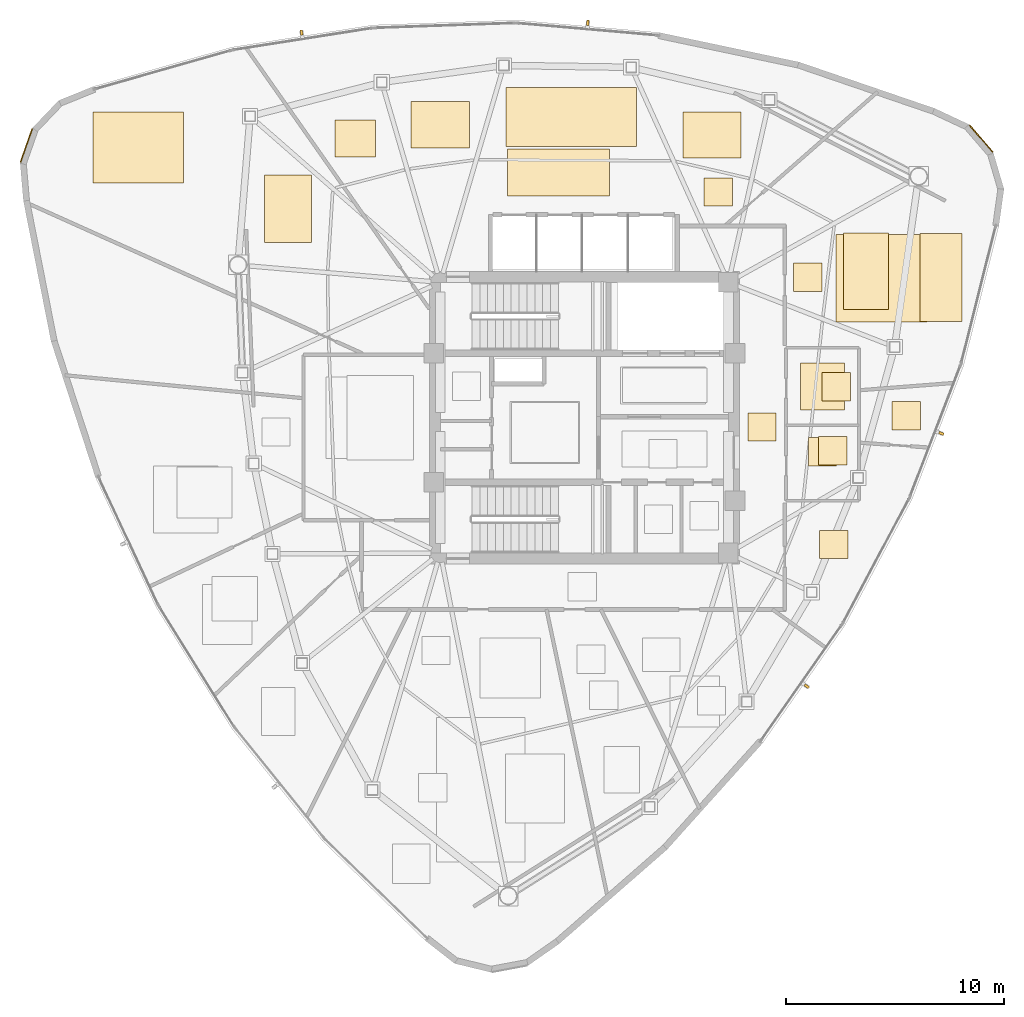
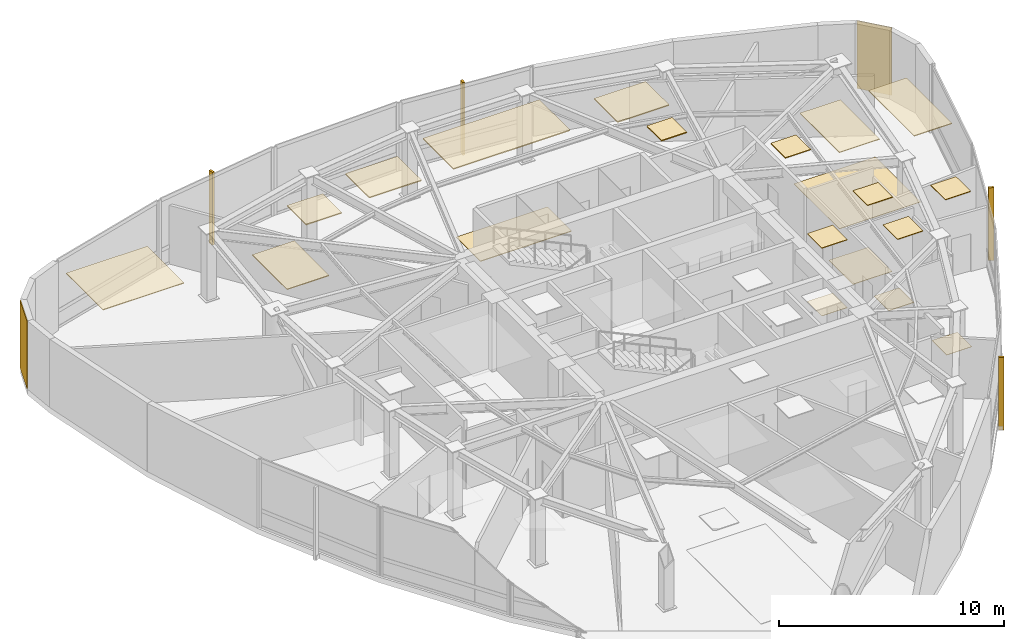
# One storey, part 12 of 12: 22 coverings, 4 shading devices.
"""IFC4 building model written with IfcOpenShell, lengths in metres."""

from ifc_helpers import new_model, si_unit, direction, frame, origin, origin_2d, place, context, subcontext, project, spatial, polyline, rectangle, outline, extrude, source, transform, mapped, material, layer, layer_set, type_object, type_shapes, element, save


model = new_model("IFC4")

# Units and contexts
model_context = context("Model", 3, precision=1e-05, world=origin(), true_north=direction((0.0, 1.0)))
body_context = subcontext(model_context, "Body", "Model", "MODEL_VIEW")
ifc_project = project(units=[si_unit("LENGTHUNIT", "METRE"), si_unit("AREAUNIT", "SQUARE_METRE"), si_unit("VOLUMEUNIT", "CUBIC_METRE"), si_unit("PLANEANGLEUNIT", "RADIAN"), si_unit("MASSUNIT", "GRAM", prefix="KILO")], contexts=[model_context])

# Site, building, storey
site_placement = place(None, origin())
site = spatial("IfcSite", under=ifc_project, at=site_placement, CompositionType="ELEMENT")
building_placement = place(site_placement, origin())
building = spatial("IfcBuilding", under=site, at=building_placement, Name="Tavelor Broadcast Tower", CompositionType="ELEMENT")
storey_placement = place(building_placement, frame((0.0, 0.0, 289.5)))
storey = spatial("IfcBuildingStorey", under=building, at=storey_placement, Name="L69", CompositionType="ELEMENT", Elevation=289.5)

# Coverings
ifc_material_1 = material(Name="Copper-Bronze Anodized Aluminium", Category="aluminium")
ifc_layer_1 = layer(ifc_material_1, 0.050048828125)
ifc_layer_set_1 = layer_set([ifc_layer_1], Name="Copper-Bronze Anodized Aluminium")
covering_type_1 = type_object("IfcCoveringType", Name="Champagne-Bronze Corner Pier Metal Cladding 50 mm", PredefinedType="CLADDING", material=ifc_layer_set_1)
for number, where, z_axis, x_axis, name in (
    (1, (24.44091796875, 57.4677734375, 0.02001953125), (0.0, 0.0, 1.0), (-0.331337888463, -0.943512164028, 0.0), "L69 Champagne-Bronze Corner Cladding 03"),
    (2, (68.177001953125, 57.783203125, 0.02001953125), (0.0, 0.0, 1.0), (-0.651436558597, 0.758703110659, 0.0), "L69 Champagne-Bronze Corner Cladding 23"),
):
    element("IfcCovering", number, at=place(storey_placement, frame(where, z_axis=z_axis, x_axis=x_axis)), inside=storey, type_object=covering_type_1, Name=name, PredefinedType="CLADDING", context=body_context, shape_type="SweptSolid", body=[
        extrude(rectangle(XDim=1.624755859375, YDim=0.050048828125, at=origin_2d()), origin(), (0.0, 0.0, 1.0), 3.659912109375),
    ])
ifc_material_2 = material(Name="Architectural Anodized Aluminium", Category="aluminium")
ifc_layer_2 = layer(ifc_material_2, 0.034912109375)
ifc_layer_set_2 = layer_set([ifc_layer_2], Name="Architectural Anodized Aluminium")
covering_type_2 = type_object("IfcCoveringType", Name="Demountable Metal Tile Corridor Ceiling 35 mm", PredefinedType="CEILING", material=ifc_layer_set_2)
covering_1_placement = place(storey_placement, frame((0.0, 0.0, 3.6650390625)))
element("IfcCovering", 3, at=covering_1_placement, inside=storey, type_object=covering_type_2, Name="L69 Suspended Acoustic Ceiling 2639", PredefinedType="CEILING", context=body_context, shape_type="SweptSolid", body=[
    extrude(outline(polyline([(57.489990234375, 43.925048828125), (58.7900390625, 43.925048828125), (58.7900390625, 45.22509765625), (57.489990234375, 45.22509765625), (57.489990234375, 43.925048828125)])), origin(), (0.0, 0.0, 1.0), 0.034912109375),
])
ifc_material_3 = material(Name="Acoustic Nylon Carpet Tile")
ifc_layer_3 = layer(ifc_material_3, 0.02001953125)
ifc_layer_set_3 = layer_set([ifc_layer_3], Name="Acoustic Nylon Carpet Tile")
covering_type_3 = type_object("IfcCoveringType", Name="Heavy-Duty Acoustic Broadcast Carpet Tile 20 mm", PredefinedType="FLOORING", material=ifc_layer_set_3)
covering_2_placement = place(storey_placement, origin())
element("IfcCovering", 4, at=covering_2_placement, inside=storey, type_object=covering_type_3, Name="L69 Broadcast Floor Finish 1027", PredefinedType="FLOORING", context=body_context, shape_type="SweptSolid", body=[
    extrude(outline(polyline([(57.489990234375, 43.925048828125), (58.7900390625, 43.925048828125), (58.7900390625, 45.22509765625), (57.489990234375, 45.22509765625), (57.489990234375, 43.925048828125)])), origin(), (0.0, 0.0, 1.0), 0.02001953125),
])
covering_3_placement = place(storey_placement, origin())
element("IfcCovering", 5, at=covering_3_placement, inside=storey, type_object=covering_type_3, Name="L69 Broadcast Floor Finish 1031", PredefinedType="FLOORING", context=body_context, shape_type="SweptSolid", body=[
    extrude(outline(polyline([(60.771728515625, 38.54248046875), (62.07177734375, 38.54248046875), (62.07177734375, 39.842529296875), (60.771728515625, 39.842529296875), (60.771728515625, 38.54248046875)])), origin(), (0.0, 0.0, 1.0), 0.02001953125),
])
covering_4_placement = place(storey_placement, origin())
element("IfcCovering", 6, at=covering_4_placement, inside=storey, type_object=covering_type_3, Name="L69 Broadcast Floor Finish 1038", PredefinedType="FLOORING", context=body_context, shape_type="SweptSolid", body=[
    extrude(outline(polyline([(61.5302734375, 49.376220703125), (65.69384765625, 49.376220703125), (65.69384765625, 53.39501953125), (61.5302734375, 53.39501953125), (61.5302734375, 49.376220703125)])), origin(), (0.0, 0.0, 1.0), 0.02001953125),
])
ifc_material_4 = material(Name="Acoustic Hardwood Studio Flooring", Category="wood")
ifc_layer_4 = layer(ifc_material_4, 0.034912109375)
ifc_layer_set_4 = layer_set([ifc_layer_4], Name="Acoustic Hardwood Studio Flooring")
covering_type_4 = type_object("IfcCoveringType", Name="Isolated Studio Acoustic Elastomeric Floor Finish 35 mm", PredefinedType="FLOORING", material=ifc_layer_set_4)
covering_5_placement = place(storey_placement, origin())
element("IfcCovering", 7, at=covering_5_placement, inside=storey, type_object=covering_type_4, Name="L69 Broadcast Floor Finish 1037", PredefinedType="FLOORING", context=body_context, shape_type="SweptSolid", body=[
    extrude(outline(polyline([(46.482666015625, 55.151123046875), (51.15673828125, 55.151123046875), (51.15673828125, 57.2998046875), (46.482666015625, 57.2998046875), (46.482666015625, 55.151123046875)])), origin(), (0.0, 0.0, 1.0), 0.034912109375),
])
ifc_material_5 = material(Name="Acoustic Perforated Timber Baffle", Category="wood")
ifc_layer_5 = layer(ifc_material_5, 0.054931640625)
ifc_layer_set_5 = layer_set([ifc_layer_5], Name="Acoustic Perforated Timber Baffle")
covering_type_5 = type_object("IfcCoveringType", Name="Micro-Perforated Acoustic Baffle Studio Ceiling 55 mm", PredefinedType="CEILING", material=ifc_layer_set_5)
covering_6_placement = place(storey_placement, frame((0.0, 0.0, 3.64501953125)))
element("IfcCovering", 8, at=covering_6_placement, inside=storey, type_object=covering_type_5, Name="L69 Suspended Acoustic Ceiling 2659", PredefinedType="CEILING", context=body_context, shape_type="SweptSolid", body=[
    extrude(outline(polyline([(54.51708984375, 56.90771484375), (57.165771484375, 56.90771484375), (57.165771484375, 58.9951171875), (54.51708984375, 58.9951171875), (54.51708984375, 56.90771484375)])), origin(), (0.0, 0.0, 1.0), 0.054931640625),
])
covering_7_placement = place(storey_placement, frame((0.0, 0.0, 3.64501953125)))
element("IfcCovering", 9, at=covering_7_placement, inside=storey, type_object=covering_type_5, Name="L69 Suspended Acoustic Ceiling 2660", PredefinedType="CEILING", context=body_context, shape_type="SweptSolid", body=[
    extrude(outline(polyline([(55.4873046875, 54.688720703125), (56.787353515625, 54.688720703125), (56.787353515625, 55.98876953125), (55.4873046875, 55.98876953125), (55.4873046875, 54.688720703125)])), origin(), (0.0, 0.0, 1.0), 0.054931640625),
])
covering_8_placement = place(storey_placement, frame((0.0, 0.0, 3.64501953125)))
element("IfcCovering", 10, at=covering_8_placement, inside=storey, type_object=covering_type_5, Name="L69 Suspended Acoustic Ceiling 2661", PredefinedType="CEILING", context=body_context, shape_type="SweptSolid", body=[
    extrude(outline(polyline([(38.587158203125, 56.950927734375), (40.4248046875, 56.950927734375), (40.4248046875, 58.6357421875), (38.587158203125, 58.6357421875), (38.587158203125, 56.950927734375)])), origin(), (0.0, 0.0, 1.0), 0.054931640625),
])
covering_9_placement = place(storey_placement, frame((0.0, 0.0, 3.64501953125)))
element("IfcCovering", 11, at=covering_9_placement, inside=storey, type_object=covering_type_5, Name="L69 Suspended Acoustic Ceiling 2662", PredefinedType="CEILING", context=body_context, shape_type="SweptSolid", body=[
    extrude(outline(polyline([(46.41064453125, 57.414794921875), (52.3798828125, 57.414794921875), (52.3798828125, 60.12158203125), (46.41064453125, 60.12158203125), (46.41064453125, 57.414794921875)])), origin(), (0.0, 0.0, 1.0), 0.054931640625),
])
covering_10_placement = place(storey_placement, frame((0.0, 0.0, 3.64501953125)))
element("IfcCovering", 12, at=covering_10_placement, inside=storey, type_object=covering_type_5, Name="L69 Suspended Acoustic Ceiling 2663", PredefinedType="CEILING", context=body_context, shape_type="SweptSolid", body=[
    extrude(outline(polyline([(42.065185546875, 57.3564453125), (44.7392578125, 57.3564453125), (44.7392578125, 59.48046875), (42.065185546875, 59.48046875), (42.065185546875, 57.3564453125)])), origin(), (0.0, 0.0, 1.0), 0.054931640625),
])
ifc_layer_6 = layer(ifc_material_2, 0.030029296875)
ifc_layer_set_6 = layer_set([ifc_layer_6], Name="Architectural Anodized Aluminium")
covering_type_6 = type_object("IfcCoveringType", Name="Moisture-Resistant Washroom Ceiling 30 mm", PredefinedType="CEILING", material=ifc_layer_set_6)
covering_11_placement = place(storey_placement, frame((0.0, 0.0, 3.669921875)))
element("IfcCovering", 13, at=covering_11_placement, inside=storey, type_object=covering_type_6, Name="L69 Suspended Acoustic Ceiling 2642", PredefinedType="CEILING", context=body_context, shape_type="SweptSolid", body=[
    extrude(outline(polyline([(60.73388671875, 42.831787109375), (62.03369140625, 42.831787109375), (62.03369140625, 44.131591796875), (60.73388671875, 44.131591796875), (60.73388671875, 42.831787109375)])), origin(), (0.0, 0.0, 1.0), 0.030029296875),
])
covering_12_placement = place(storey_placement, frame((0.0, 0.0, 3.669921875)))
element("IfcCovering", 14, at=covering_12_placement, inside=storey, type_object=covering_type_6, Name="L69 Suspended Acoustic Ceiling 2643", PredefinedType="CEILING", context=body_context, shape_type="SweptSolid", body=[
    extrude(outline(polyline([(60.8916015625, 45.77490234375), (62.19140625, 45.77490234375), (62.19140625, 47.074951171875), (60.8916015625, 47.074951171875), (60.8916015625, 45.77490234375)])), origin(), (0.0, 0.0, 1.0), 0.030029296875),
])
ifc_material_6 = material(Name="Slip-Resistant Porcelain Tile")
ifc_layer_7 = layer(ifc_material_6, 0.02490234375)
ifc_layer_set_7 = layer_set([ifc_layer_7], Name="Slip-Resistant Porcelain Tile")
covering_type_7 = type_object("IfcCoveringType", Name="Slip-Resistant Porcelain Wet-Area Floor Tile 25 mm", PredefinedType="FLOORING", material=ifc_layer_set_7)
covering_13_placement = place(storey_placement, origin())
element("IfcCovering", 15, at=covering_13_placement, inside=storey, type_object=covering_type_7, Name="L69 Broadcast Floor Finish 1029", PredefinedType="FLOORING", context=body_context, shape_type="SweptSolid", body=[
    extrude(outline(polyline([(60.260009765625, 42.791748046875), (61.56005859375, 42.791748046875), (61.56005859375, 44.091796875), (60.260009765625, 44.091796875), (60.260009765625, 42.791748046875)])), origin(), (0.0, 0.0, 1.0), 0.02490234375),
])
covering_14_placement = place(storey_placement, origin())
element("IfcCovering", 16, at=covering_14_placement, inside=storey, type_object=covering_type_7, Name="L69 Broadcast Floor Finish 1030", PredefinedType="FLOORING", context=body_context, shape_type="SweptSolid", body=[
    extrude(outline(polyline([(59.91064453125, 45.35009765625), (61.909423828125, 45.35009765625), (61.909423828125, 47.5), (59.91064453125, 47.5), (59.91064453125, 45.35009765625)])), origin(), (0.0, 0.0, 1.0), 0.02490234375),
])
ifc_material_7 = material(Name="Acoustic Mineral Fibre Tile")
ifc_layer_8 = layer(ifc_material_7, 0.0400390625)
ifc_layer_set_8 = layer_set([ifc_layer_8], Name="Acoustic Mineral Fibre Tile")
covering_type_8 = type_object("IfcCoveringType", Name="Suspended Acoustic Mineral-Fibre Office Ceiling 40 mm", PredefinedType="CEILING", material=ifc_layer_set_8)
covering_15_placement = place(storey_placement, frame((0.0, 0.0, 3.659912109375)))
element("IfcCovering", 17, at=covering_15_placement, inside=storey, type_object=covering_type_8, Name="L69 Suspended Acoustic Ceiling 2657", PredefinedType="CEILING", context=body_context, shape_type="SweptSolid", body=[
    extrude(outline(polyline([(27.4951171875, 55.74169921875), (31.643310546875, 55.74169921875), (31.643310546875, 59.010009765625), (27.4951171875, 59.010009765625), (27.4951171875, 55.74169921875)])), origin(), (0.0, 0.0, 1.0), 0.0400390625),
])
covering_16_placement = place(storey_placement, frame((0.0, 0.0, 3.659912109375)))
element("IfcCovering", 18, at=covering_16_placement, inside=storey, type_object=covering_type_8, Name="L69 Suspended Acoustic Ceiling 2658", PredefinedType="CEILING", context=body_context, shape_type="SweptSolid", body=[
    extrude(outline(polyline([(35.348876953125, 53.025634765625), (37.5078125, 53.025634765625), (37.5078125, 56.111572265625), (35.348876953125, 56.111572265625), (35.348876953125, 53.025634765625)])), origin(), (0.0, 0.0, 1.0), 0.0400390625),
])
covering_17_placement = place(storey_placement, frame((0.0, 0.0, 3.659912109375)))
element("IfcCovering", 19, at=covering_17_placement, inside=storey, type_object=covering_type_8, Name="L69 Suspended Acoustic Ceiling 2664", PredefinedType="CEILING", context=body_context, shape_type="SweptSolid", body=[
    extrude(outline(polyline([(61.864501953125, 49.95068359375), (63.933837890625, 49.95068359375), (63.933837890625, 53.45166015625), (61.864501953125, 53.45166015625), (61.864501953125, 49.95068359375)])), origin(), (0.0, 0.0, 1.0), 0.0400390625),
])
covering_18_placement = place(storey_placement, frame((0.0, 0.0, 3.659912109375)))
element("IfcCovering", 20, at=covering_18_placement, inside=storey, type_object=covering_type_8, Name="L69 Suspended Acoustic Ceiling 2665", PredefinedType="CEILING", context=body_context, shape_type="SweptSolid", body=[
    extrude(outline(polyline([(65.373046875, 49.3974609375), (67.3115234375, 49.3974609375), (67.3115234375, 53.447998046875), (65.373046875, 53.447998046875), (65.373046875, 49.3974609375)])), origin(), (0.0, 0.0, 1.0), 0.0400390625),
])
covering_19_placement = place(storey_placement, frame((0.0, 0.0, 3.659912109375)))
element("IfcCovering", 21, at=covering_19_placement, inside=storey, type_object=covering_type_8, Name="L69 Suspended Acoustic Ceiling 2666", PredefinedType="CEILING", context=body_context, shape_type="SweptSolid", body=[
    extrude(outline(polyline([(59.5791015625, 50.781494140625), (60.879150390625, 50.781494140625), (60.879150390625, 52.081298828125), (59.5791015625, 52.081298828125), (59.5791015625, 50.781494140625)])), origin(), (0.0, 0.0, 1.0), 0.0400390625),
])
covering_20_placement = place(storey_placement, frame((0.0, 0.0, 3.659912109375)))
element("IfcCovering", 22, at=covering_20_placement, inside=storey, type_object=covering_type_8, Name="L69 Suspended Acoustic Ceiling 2667", PredefinedType="CEILING", context=body_context, shape_type="SweptSolid", body=[
    extrude(outline(polyline([(64.10400390625, 44.430908203125), (65.404052734375, 44.430908203125), (65.404052734375, 45.730712890625), (64.10400390625, 45.730712890625), (64.10400390625, 44.430908203125)])), origin(), (0.0, 0.0, 1.0), 0.0400390625),
])

# Shading devices
ifc_material_8 = material(Name="Kiln-Fired Glazed Terracotta", Category="masonry")
shading_device_type = type_object("IfcShadingDeviceType", Name="Extruded Terracotta Baguette Sun-Screen 110x240", PredefinedType="JALOUSIE", material=ifc_material_8)
shared_shape = source(origin(), body_context, "Body", "SweptSolid", [
    extrude(rectangle(XDim=0.110107421875, YDim=0.239990234375, at=origin_2d()), origin(), (0.0, 0.0, 1.0), 3.93994140625),
])
type_shapes(shading_device_type, [shared_shape])
for number, where, z_axis, x_axis, name in (
    (23, (60.18798828125, 32.696533203125, -0.260009765625), (0.0, 0.0, 1.0), (0.573290463408, 0.819352210326, 0.0), "L69 Terracotta Baguette Fin 687"),
    (24, (66.352783203125, 44.27880859375, -0.260009765625), (0.0, 0.0, 1.0), (0.359508265466, 0.933141900818, 0.0), "L69 Terracotta Baguette Fin 688"),
    (25, (50.1611328125, 63.092529296875, -0.260009765625), (0.0, 0.0, 1.0), (-0.996225060493, 0.086807999895, 0.0), "L69 Terracotta Baguette Fin 689"),
    (26, (37.04833984375, 62.640380859375, -0.260009765625), (0.0, 0.0, 1.0), (-0.987878724177, -0.155227659645, 0.0), "L69 Terracotta Baguette Fin 690"),
):
    element("IfcShadingDevice", number, at=place(storey_placement, frame(where, z_axis=z_axis, x_axis=x_axis)), inside=storey, type_object=shading_device_type, Name=name, PredefinedType="JALOUSIE", context=body_context, shape_type="MappedRepresentation", body=[
        mapped(shared_shape, transform((0.0, 0.0, 0.0), scale=1.0)),
    ])

save(model, "model.ifc")
